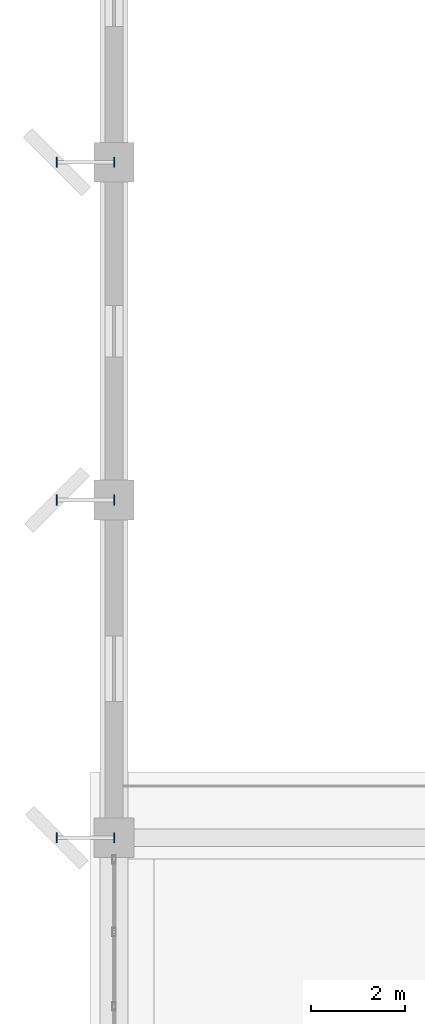
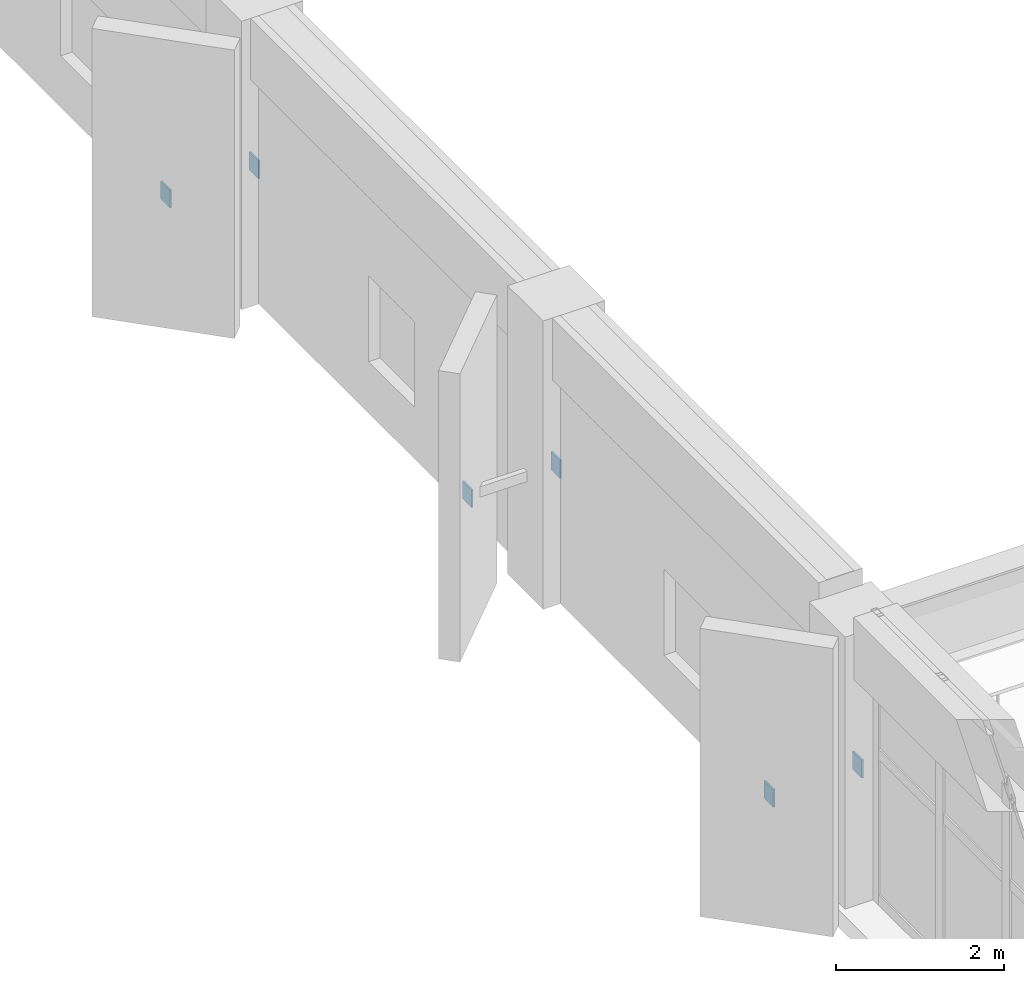
# One storey, part 48 of 59: 6 discrete accessories.
"""IFC4 building model written with IfcOpenShell, lengths in metres."""

import ifcopenshell
import ifcopenshell.guid

model = None  # the IFC model being written
_history = None  # IfcOwnerHistory: only IFC2X3 demands one
_inside = {}  # id of a spatial element -> (the spatial element, [elements in it])
_under = {}  # id of a project, library or spatial element -> (it, [spatial elements below it])
_declared = {}  # id of a project -> (the project, [libraries it declares])
_typed = {}  # id of a type object -> (the type object, [elements of that type])
_made_of = {}  # id of a material, layer set ... -> (it, [elements and type objects made of it])


def new_model(schema):
    """Start an empty IFC model of exactly this schema.

    Asked for "IFC4X3", IfcOpenShell would pick the latest addendum, in which some entities
    have other attributes; the version numbers below select the first issue.
    IFC2X3 requires an IfcOwnerHistory on every rooted entity: one is made here for all.
    """
    global model, _history
    if schema == "IFC4X3":
        model = ifcopenshell.file(schema_version=(4, 3, 0, 0))
    else:
        model = ifcopenshell.file(schema=schema)
    _inside.clear()
    _under.clear()
    _declared.clear()
    _typed.clear()
    _made_of.clear()
    _history = None
    if model.schema == "IFC2X3":
        org = make("IfcOrganization", Name="unknown")
        user = make(
            "IfcPersonAndOrganization",
            ThePerson=make("IfcPerson", FamilyName="unknown"),
            TheOrganization=org,
        )
        app = make(
            "IfcApplication",
            ApplicationDeveloper=org,
            Version="unknown",
            ApplicationFullName="unknown",
            ApplicationIdentifier="unknown",
        )
        _history = make(
            "IfcOwnerHistory",
            OwningUser=user,
            OwningApplication=app,
            ChangeAction="ADDED",
            CreationDate=0,
        )
    return model


def make(cls, **values):
    """One entity of the class cls with the attributes given. An attribute that is None is left unset."""
    return model.create_entity(
        cls, **{name: value for name, value in values.items() if value is not None}
    )


def rooted(cls, **values):
    """An entity with a GlobalId (a new one), such as an element, a storey or a relation."""
    return make(cls, GlobalId=ifcopenshell.guid.new(), OwnerHistory=_history, **values)


def si_unit(unit_type, name, prefix=None):
    """IfcSIUnit, for example si_unit("LENGTHUNIT", "METRE", prefix="MILLI")."""
    return make("IfcSIUnit", UnitType=unit_type, Prefix=prefix, Name=name)


def assignment(units):
    """IfcUnitAssignment: the units of a project."""
    return None if units is None else make("IfcUnitAssignment", Units=units)


def point(xyz):
    """IfcCartesianPoint."""
    return None if xyz is None else make("IfcCartesianPoint", Coordinates=xyz)


def direction(xyz):
    """IfcDirection."""
    return None if xyz is None else make("IfcDirection", DirectionRatios=xyz)


def frame(location, z_axis=None, x_axis=None):
    """IfcAxis2Placement3D, a coordinate frame: its origin and axes. An axis left out is left unset."""
    return make(
        "IfcAxis2Placement3D",
        Location=point(location),
        Axis=direction(z_axis),
        RefDirection=direction(x_axis),
    )


def frame_2d(location, x_axis=None):
    """IfcAxis2Placement2D, a coordinate frame in the plane: its origin and x axis."""
    return make(
        "IfcAxis2Placement2D", Location=point(location), RefDirection=direction(x_axis)
    )


def origin():
    """The frame at (0, 0, 0) with its axes left unset."""
    return frame((0.0, 0.0, 0.0))


def origin_2d():
    """The frame at (0, 0) in the plane with its x axis left unset."""
    return frame_2d((0.0, 0.0))


def place(relative_to, where):
    """IfcLocalPlacement: puts the frame where relative to a parent placement (None: the world)."""
    return make(
        "IfcLocalPlacement", PlacementRelTo=relative_to, RelativePlacement=where
    )


def context(
    kind, dimensions, precision=None, world=None, true_north=None, identifier=None
):
    """IfcGeometricRepresentationContext, for example the 3D "Model" context."""
    return make(
        "IfcGeometricRepresentationContext",
        ContextIdentifier=identifier,
        ContextType=kind,
        CoordinateSpaceDimension=dimensions,
        Precision=precision,
        WorldCoordinateSystem=world,
        TrueNorth=true_north,
    )


def subcontext(parent, identifier, kind, view, scale=None):
    """IfcGeometricRepresentationSubContext, for example "Body" below "Model"."""
    return make(
        "IfcGeometricRepresentationSubContext",
        ContextIdentifier=identifier,
        ContextType=kind,
        ParentContext=parent,
        TargetScale=scale,
        TargetView=view,
    )


def project(units=None, contexts=None):
    """IfcProject with its units and contexts."""
    return rooted(
        "IfcProject",
        Name="project",
        RepresentationContexts=contexts,
        UnitsInContext=assignment(units),
    )


def spatial(cls, under=None, at=None, **own):
    """A site, building, storey or space (cls), placed at a placement, below another one or the project."""
    s = rooted(cls, ObjectPlacement=at, **own)
    if under is not None:
        _under.setdefault(under.id(), (under, []))[1].append(s)
    return s


def profile(cls, at=None, kind="AREA", **sizes):
    """A parametric profile (cls). Its sizes go by their IFC names, for example OverallWidth=200.0."""
    return make(cls, ProfileType=kind, Position=at, **sizes)


def rectangle(**sizes):
    """IfcRectangleProfileDef."""
    return profile("IfcRectangleProfileDef", **sizes)


def extrude(swept, where, along, depth):
    """IfcExtrudedAreaSolid: the profile swept, set in the frame where, extruded along a direction by depth."""
    return make(
        "IfcExtrudedAreaSolid",
        SweptArea=swept,
        Position=where,
        ExtrudedDirection=direction(along),
        Depth=depth,
    )


def shape(context_of_items, identifier, shape_type, items):
    """IfcShapeRepresentation: the items that make up one representation, for example the "Body"."""
    return make(
        "IfcShapeRepresentation",
        ContextOfItems=context_of_items,
        RepresentationIdentifier=identifier,
        RepresentationType=shape_type,
        Items=items,
    )


def material(Name=None, Category=None):
    """IfcMaterial."""
    return make("IfcMaterial", Name=Name, Category=Category)


def made_of(thing, what):
    """Note that an element or type object is made of a material, layer set ...; save() writes the relation."""
    if what is not None:
        _made_of.setdefault(what.id(), (what, []))[1].append(thing)
    return thing


def type_object(cls, material=None, **own):
    """A type object (cls), such as IfcWallType, which elements share."""
    return made_of(rooted(cls, **own), material)


def element(
    cls,
    number,
    at=None,
    inside=None,
    cuts=None,
    type_object=None,
    material=None,
    context=None,
    identifier="Body",
    shape_type=None,
    held_by="IfcProductDefinitionShape",
    body=None,
    shapes=None,
    **own,
):
    """One element of the class cls, such as IfcWall. Its Tag is "e" and its number.

    at: its placement. inside: the storey or other place that contains it. cuts: it is an
    opening in that element (IfcRelVoidsElement). A single representation is given by context,
    identifier, shape_type and body (its items); several are given by shapes. held_by: the class
    of the entity that holds the representations. save() writes the other relations.
    """
    e = rooted(cls, Tag="e%d" % number, ObjectPlacement=at, **own)
    if body is not None:
        shapes = [shape(context, identifier, shape_type, body)]
    if shapes is not None:
        e.Representation = make(held_by, Representations=shapes)
    if inside is not None:
        _inside.setdefault(inside.id(), (inside, []))[1].append(e)
    if cuts is not None:
        rooted(
            "IfcRelVoidsElement", RelatingBuildingElement=cuts, RelatedOpeningElement=e
        )
    if type_object is not None:
        _typed.setdefault(type_object.id(), (type_object, []))[1].append(e)
    return made_of(e, material)


def aggregate(whole, parts):
    """IfcRelAggregates: a whole, such as a stair, and the parts it consists of."""
    return rooted("IfcRelAggregates", RelatingObject=whole, RelatedObjects=parts)


def save(model, path):
    """Write the relations noted so far, then the file.

    IfcRelAggregates (storeys below a building ...), IfcRelContainedInSpatialStructure (elements
    in a storey), IfcRelDefinesByType, IfcRelAssociatesMaterial and IfcRelDeclares: one each for
    every whole, place, type object, material and project.
    """
    for whole, parts in _under.values():
        aggregate(whole, parts)
    for where, things in _inside.values():
        rooted(
            "IfcRelContainedInSpatialStructure",
            RelatedElements=things,
            RelatingStructure=where,
        )
    for kind, things in _typed.values():
        rooted("IfcRelDefinesByType", RelatedObjects=things, RelatingType=kind)
    for what, things in _made_of.values():
        rooted("IfcRelAssociatesMaterial", RelatedObjects=things, RelatingMaterial=what)
    for by, libraries in _declared.values():
        rooted("IfcRelDeclares", RelatingContext=by, RelatedDefinitions=libraries)
    model.write(path)


model = new_model("IFC4")

# Units and contexts
model_context = context("Model", 3, precision=1e-05, world=origin(), true_north=direction((0.0, 1.0)))
body_context = subcontext(model_context, "Body", "Model", "MODEL_VIEW")
ifc_project = project(units=[si_unit("LENGTHUNIT", "METRE"), si_unit("AREAUNIT", "SQUARE_METRE"), si_unit("VOLUMEUNIT", "CUBIC_METRE"), si_unit("PLANEANGLEUNIT", "RADIAN"), si_unit("MASSUNIT", "GRAM", prefix="KILO")], contexts=[model_context])

# Site, building, storey
site_placement = place(None, origin())
site = spatial("IfcSite", under=ifc_project, at=site_placement, CompositionType="ELEMENT")
building_placement = place(site_placement, origin())
building = spatial("IfcBuilding", under=site, at=building_placement, Name="Kandorven Conservatory and Botanical Research Centre", CompositionType="ELEMENT")
storey_placement = place(building_placement, frame((0.0, 0.0, 4.800048828125)))
storey = spatial("IfcBuildingStorey", under=building, at=storey_placement, Name="L01", CompositionType="ELEMENT", Elevation=4.800048828125)

# Discrete accessories
ifc_material = material(Name="Steel S355 (IS 2062 E350)", Category="steel")
discrete_accessory_type = type_object("IfcDiscreteAccessoryType", Name="SteelGussetPlate", PredefinedType="BRACKET", material=ifc_material)
for number, where, z_axis, x_axis, name in (
    (1, (6.0, 42.0, 1.56982421875), (0.0, 0.0, 1.0), (1.0, 0.0, 0.0), "Welded steel strut end-plate GUS-01 Aud-4A"),
    (2, (4.780029296875, 42.0, 1.56982421875), (0.0, 0.0, 1.0), (1.0, 0.0, 0.0), "Welded steel strut end-plate GUS-01 Aud-4B"),
    (3, (6.0, 49.199951171875, 1.56982421875), (0.0, 0.0, 1.0), (1.0, 0.0, 0.0), "Welded steel strut end-plate GUS-01 Aud-5A"),
    (4, (4.780029296875, 49.199951171875, 1.56982421875), (0.0, 0.0, 1.0), (1.0, 0.0, 0.0), "Welded steel strut end-plate GUS-01 Aud-5B"),
    (5, (6.0, 56.39990234375, 1.56982421875), (0.0, 0.0, 1.0), (1.0, 0.0, 0.0), "Welded steel strut end-plate GUS-01 Aud-6A"),
    (6, (4.780029296875, 56.39990234375, 1.56982421875), (0.0, 0.0, 1.0), (1.0, 0.0, 0.0), "Welded steel strut end-plate GUS-01 Aud-6B"),
):
    element("IfcDiscreteAccessory", number, at=place(storey_placement, frame(where, z_axis=z_axis, x_axis=x_axis)), inside=storey, type_object=discrete_accessory_type, Name=name, PredefinedType="BRACKET", context=body_context, shape_type="SweptSolid", body=[
        extrude(rectangle(XDim=0.02392578125, YDim=0.219970703125, at=origin_2d()), origin(), (0.0, 0.0, 1.0), 0.260009765625),
    ])

save(model, "model.ifc")
